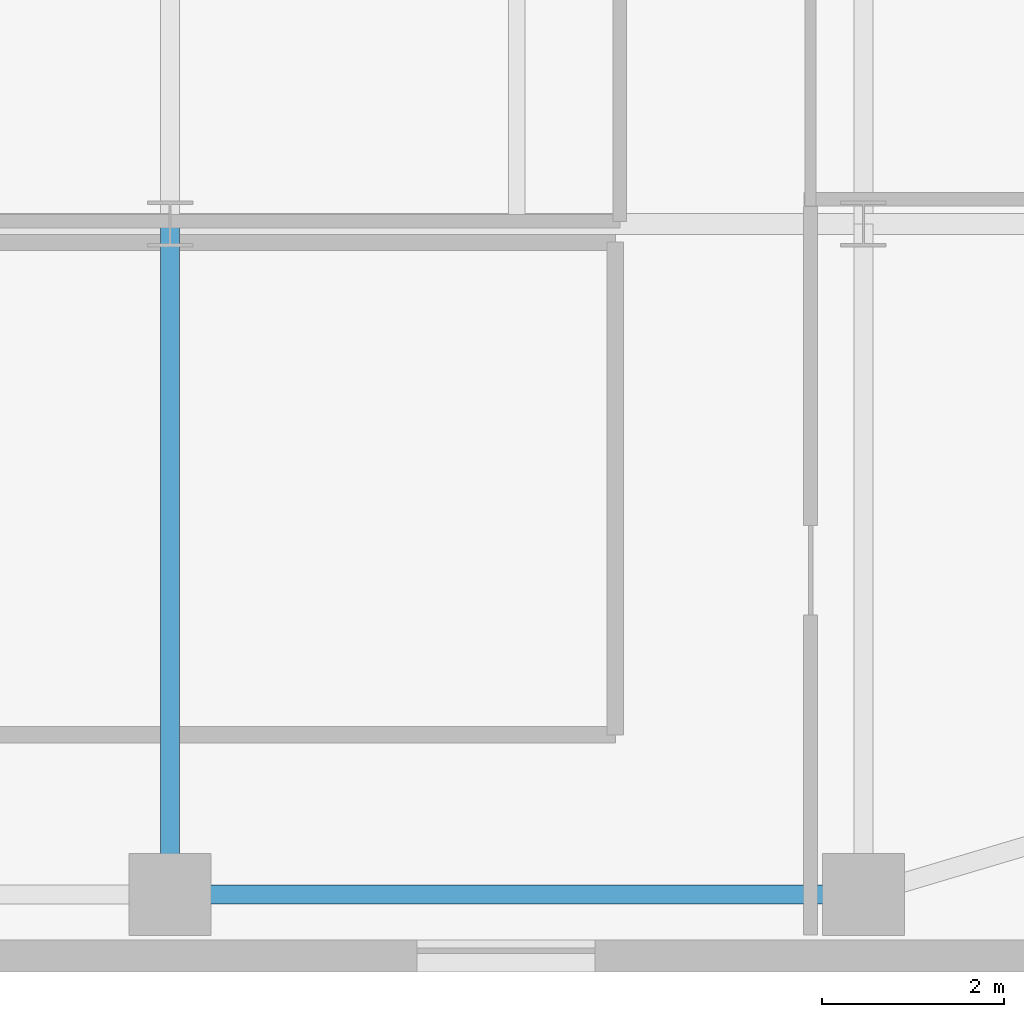
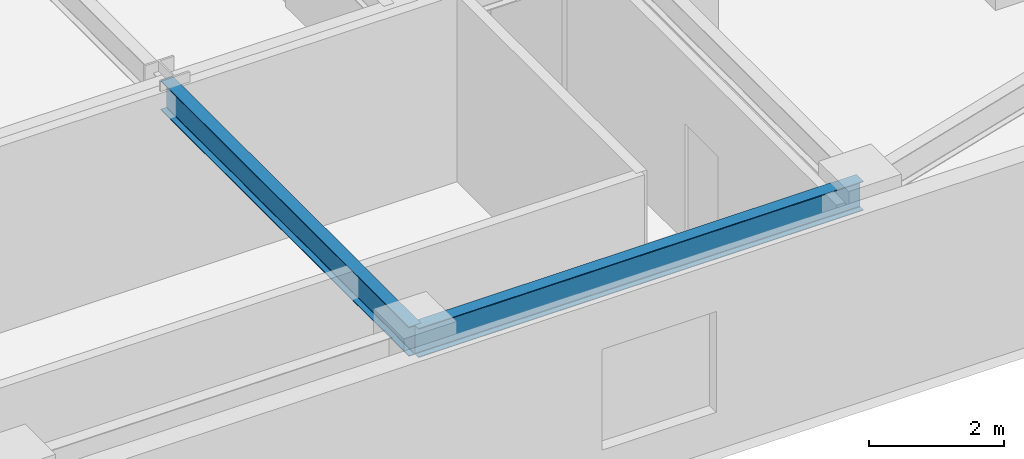
# One storey, part 6 of 25: 2 beams.
"""IFC4 building model written with IfcOpenShell, lengths in metres."""

from ifc_helpers import new_model, si_unit, direction, frame, origin, origin_2d, place, context, subcontext, project, spatial, i_section, extrude, source, transform, mapped, material, material_profile, profile_set, type_object, type_shapes, element, save


model = new_model("IFC4")

# Units and contexts
model_context = context("Model", 3, precision=1e-05, world=origin(), true_north=direction((0.0, 1.0)))
body_context = subcontext(model_context, "Body", "Model", "MODEL_VIEW")
ifc_project = project(units=[si_unit("LENGTHUNIT", "METRE"), si_unit("AREAUNIT", "SQUARE_METRE"), si_unit("VOLUMEUNIT", "CUBIC_METRE"), si_unit("PLANEANGLEUNIT", "RADIAN"), si_unit("MASSUNIT", "GRAM", prefix="KILO")], contexts=[model_context])

# Site, building, storey
site_placement = place(None, origin())
site = spatial("IfcSite", under=ifc_project, at=site_placement, CompositionType="ELEMENT")
building_placement = place(site_placement, origin())
building = spatial("IfcBuilding", under=site, at=building_placement, Name="Tolvann Quenvar Hotel", CompositionType="ELEMENT")
storey_placement = place(building_placement, frame((0.0, 0.0, 122.199951171875)))
storey = spatial("IfcBuildingStorey", under=building, at=storey_placement, Name="L31", CompositionType="ELEMENT", Elevation=122.199951171875)

# Beams
ifc_material = material(Name="Steel Grade 350", Category="steel")
ifc_material_profile_1 = material_profile(ifc_material, i_section(OverallWidth=0.208984375, OverallDepth=0.528076171875, WebThickness=0.009521484375, FlangeThickness=0.01318359375, FilletRadius=0.013916015625, at=origin_2d()), Name="530UB82")
ifc_profile_set_1 = profile_set([ifc_material_profile_1], Name="Steel Grade 350")
beam_type_1 = type_object("IfcBeamType", Name="BM_SPAND_530UB82", PredefinedType="SPANDREL", material=ifc_profile_set_1)
shared_shape_1 = source(origin(), body_context, "Body", "SweptSolid", [
    extrude(i_section(OverallWidth=0.208984375, OverallDepth=0.528076171875, WebThickness=0.009521484375, FlangeThickness=0.01318359375, FilletRadius=0.013916015625, at=origin_2d()), origin(), (0.0, 0.0, 1.0), 7.599853515625),
])
type_shapes(beam_type_1, [shared_shape_1])
beam_1_placement = place(storey_placement, frame((41.800048828125, 0.85009765625, 3.10595703125), z_axis=(1.0, 0.0, 0.0), x_axis=(0.0, 1.0, 0.0)))
element("IfcBeam", 1, at=beam_1_placement, inside=storey, type_object=beam_type_1, Name="BM-L31-EW-2-H2-I2", PredefinedType="SPANDREL", context=body_context, shape_type="MappedRepresentation", body=[
    mapped(shared_shape_1, transform((0.0, 0.0, 0.0), x_axis=(1.0, 0.0, 0.0), y_axis=(0.0, 1.0, 0.0), z_axis=(0.0, 0.0, 1.0), scale=1.0)),
])
ifc_material_profile_2 = material_profile(ifc_material, i_section(OverallWidth=0.208984375, OverallDepth=0.532958984375, WebThickness=0.01025390625, FlangeThickness=0.015625, FilletRadius=0.013916015625, at=origin_2d()), Name="530UB92")
ifc_profile_set_2 = profile_set([ifc_material_profile_2], Name="Steel Grade 350")
beam_type_2 = type_object("IfcBeamType", Name="BM_GIRD_530UB92", PredefinedType="BEAM", material=ifc_profile_set_2)
shared_shape_2 = source(origin(), body_context, "Body", "SweptSolid", [
    extrude(i_section(OverallWidth=0.208984375, OverallDepth=0.532958984375, WebThickness=0.01025390625, FlangeThickness=0.015625, FilletRadius=0.013916015625, at=origin_2d()), origin(), (0.0, 0.0, 1.0), 7.349853515625),
])
type_shapes(beam_type_2, [shared_shape_2])
beam_2_placement = place(storey_placement, frame((41.800048828125, 0.85009765625, 3.103515625), z_axis=(0.0, 1.0, 0.0), x_axis=(-1.0, 0.0, 0.0)))
element("IfcBeam", 2, at=beam_2_placement, inside=storey, type_object=beam_type_2, Name="BM-L31-NS-H2-H3", PredefinedType="BEAM", context=body_context, shape_type="MappedRepresentation", body=[
    mapped(shared_shape_2, transform((0.0, 0.0, 0.0), x_axis=(1.0, 0.0, 0.0), y_axis=(0.0, 1.0, 0.0), z_axis=(0.0, 0.0, 1.0), scale=1.0)),
])

save(model, "model.ifc")
